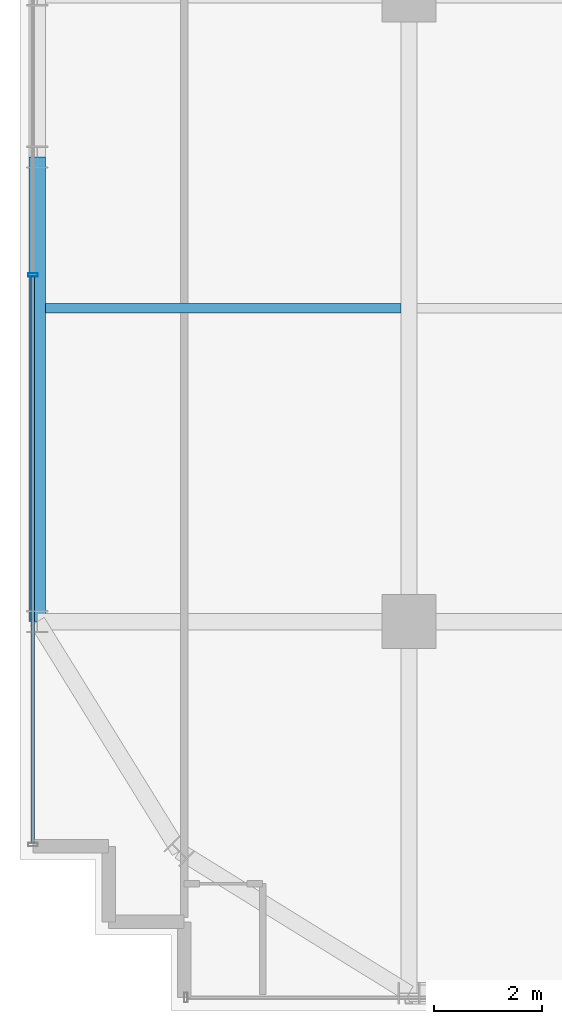
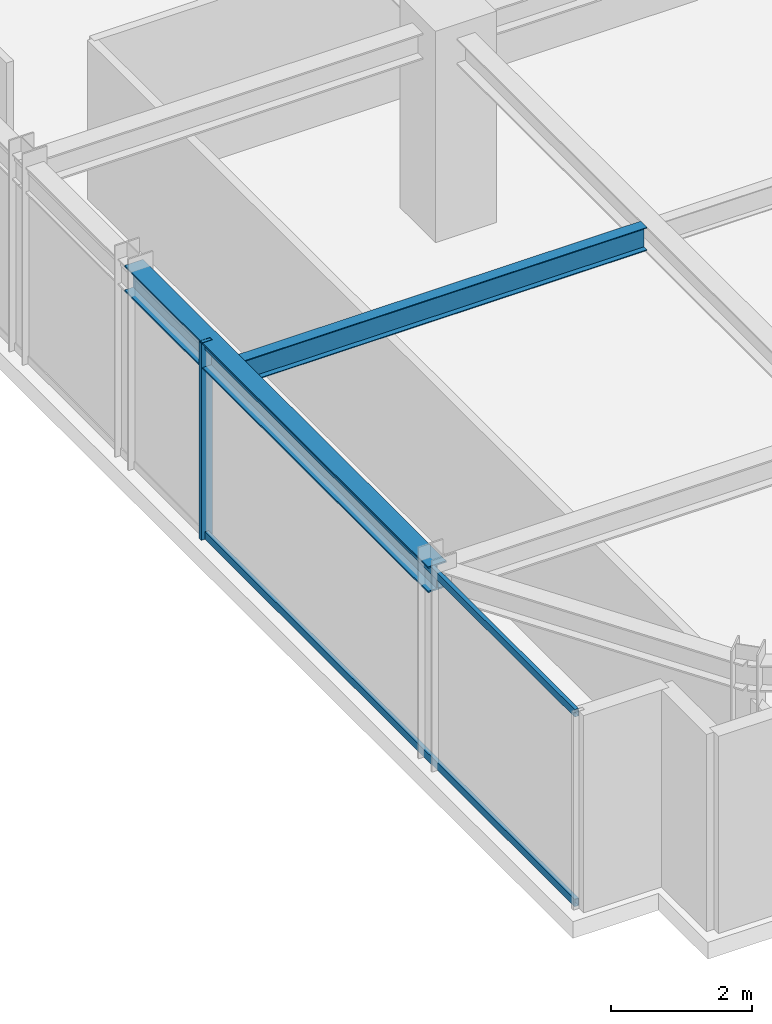
# One storey, part 6 of 36: 3 members, 2 beams, 1 element without a shape of its own.
"""IFC4 building model written with IfcOpenShell, lengths in metres."""

from ifc_helpers import new_model, si_unit, direction, frame, origin, origin_2d, place, context, subcontext, project, spatial, hollow_rectangle, i_section, extrude, source, transform, mapped, material, material_profile, profile_set, type_object, element, aggregate, save


model = new_model("IFC4")

# Units and contexts
model_context = context("Model", 3, precision=1e-05, world=origin(), true_north=direction((0.0, 1.0)))
body_context = subcontext(model_context, "Body", "Model", "MODEL_VIEW")
ifc_project = project(units=[si_unit("LENGTHUNIT", "METRE"), si_unit("AREAUNIT", "SQUARE_METRE"), si_unit("VOLUMEUNIT", "CUBIC_METRE"), si_unit("PLANEANGLEUNIT", "RADIAN"), si_unit("MASSUNIT", "GRAM", prefix="KILO")], contexts=[model_context])

# Site, building, storey
site_placement = place(None, origin())
site = spatial("IfcSite", under=ifc_project, at=site_placement, CompositionType="ELEMENT")
building_placement = place(site_placement, origin())
building = spatial("IfcBuilding", under=site, at=building_placement, Name="Nahalor Promenade Grand Hotel", CompositionType="ELEMENT")
storey_placement = place(building_placement, frame((0.0, 0.0, 219.699951171875)))
storey = spatial("IfcBuildingStorey", under=building, at=storey_placement, Name="L56", CompositionType="ELEMENT", Elevation=219.699951171875)

# Beams
ifc_material_1 = material(Name="Steel S355JR", Category="steel")
ifc_material_profile_1 = material_profile(ifc_material_1, i_section(OverallWidth=0.3, OverallDepth=0.45, WebThickness=0.014, FlangeThickness=0.026, at=origin_2d()), Name="HEB 450")
ifc_profile_set_1 = profile_set([ifc_material_profile_1], Name="Steel S355JR")
beam_type_1 = type_object("IfcBeamType", Name="Beam-Spandrel-HEB450", PredefinedType="SPANDREL", material=ifc_profile_set_1)
shared_shape_1 = source(origin(), body_context, "Body", "SweptSolid", [
    extrude(i_section(OverallWidth=0.3, OverallDepth=0.45, WebThickness=0.014, FlangeThickness=0.026, at=origin_2d()), origin(), (0.0, 0.0, 1.0), 8.60009765625),
])
beam_1_placement = place(storey_placement, frame((-23.8798828125, -17.0, 3.18505859375), z_axis=(0.0, 1.0, 0.0), x_axis=(-1.0, 0.0, 0.0)))
element("IfcBeam", 1, at=beam_1_placement, inside=storey, type_object=beam_type_1, Name="BM-L56-SP-W-0", PredefinedType="SPANDREL", context=body_context, shape_type="MappedRepresentation", body=[
    mapped(shared_shape_1, transform((0.0, 0.0, 0.0), scale=1.0)),
])
ifc_material_profile_2 = material_profile(ifc_material_1, i_section(OverallWidth=0.18, OverallDepth=0.4, WebThickness=0.0086, FlangeThickness=0.0135, at=origin_2d()), Name="IPE 400")
ifc_profile_set_2 = profile_set([ifc_material_profile_2], Name="Steel S355JR")
beam_type_2 = type_object("IfcBeamType", Name="Beam-Joist-IPE400", PredefinedType="JOIST", material=ifc_profile_set_2)
shared_shape_2 = source(origin(), body_context, "Body", "SweptSolid", [
    extrude(i_section(OverallWidth=0.18, OverallDepth=0.4, WebThickness=0.0086, FlangeThickness=0.0135, at=origin_2d()), origin(), (0.0, 0.0, 1.0), 6.580078125),
])
beam_2_placement = place(storey_placement, frame((-23.72998046875, -11.199951171875, 3.2099609375), z_axis=(1.0, 0.0, 0.0), x_axis=(0.0, 1.0, 0.0)))
element("IfcBeam", 2, at=beam_2_placement, inside=storey, type_object=beam_type_2, Name="BM-L56-JSW-0-0", PredefinedType="JOIST", context=body_context, shape_type="MappedRepresentation", body=[
    mapped(shared_shape_2, transform((0.0, 0.0, 0.0), scale=1.0)),
])

# Curtain wall, members
ifc_material_2 = material(Name="Anodised Bronze Aluminium EN AW-6063 T6", Category="aluminium")
curtain_wall_type = type_object("IfcCurtainWallType", Name="CW2 Typical Hotel Flush Bronze Unitised Curtain Wall", PredefinedType="USERDEFINED", material=ifc_material_2)
curtain_wall_placement = place(storey_placement, origin())
curtain_wall = element("IfcCurtainWall", 3, at=curtain_wall_placement, inside=storey, type_object=curtain_wall_type, Name="L56 Curtain Wall CW-L56-W-1", ObjectType="UNITISED_CURTAIN_WALL", PredefinedType="USERDEFINED")
ifc_material_profile_3 = material_profile(ifc_material_2, hollow_rectangle(XDim=0.065, YDim=0.18, WallThickness=0.004, at=origin_2d()), Name="CWM 65x180x4")
ifc_profile_set_3 = profile_set([ifc_material_profile_3], Name="Anodised Bronze Aluminium EN AW-6063 T6")
member_type_1 = type_object("IfcMemberType", Name="CWM2 Typical Bronze Mullion 65x180", PredefinedType="MULLION", material=ifc_profile_set_3)
shared_shape_3 = source(origin(), body_context, "Body", "SweptSolid", [
    extrude(hollow_rectangle(XDim=0.065, YDim=0.18, WallThickness=0.004, at=origin_2d()), origin(), (0.0, 0.0, 1.0), 3.41015625),
])
member_1_placement = place(storey_placement, frame((-23.9599609375, -10.580078125, 0.0), z_axis=(0.0, 0.0, 1.0), x_axis=(0.0, 1.0, 0.0)))
member_1 = element("IfcMember", 4, at=member_1_placement, type_object=member_type_1, Name="CW-L56-W-1 Mullion 1", PredefinedType="MULLION", context=body_context, shape_type="MappedRepresentation", body=[
    mapped(shared_shape_3, transform((0.0, 0.0, 0.0), scale=1.0)),
])
ifc_material_profile_4 = material_profile(ifc_material_2, hollow_rectangle(XDim=0.065, YDim=0.13, WallThickness=0.004, at=origin_2d()), Name="CWT 65x130x4")
ifc_profile_set_4 = profile_set([ifc_material_profile_4], Name="Anodised Bronze Aluminium EN AW-6063 T6")
member_type_2 = type_object("IfcMemberType", Name="CWT2 Typical Bronze Transom 65x130", PredefinedType="USERDEFINED", material=ifc_profile_set_4)
shared_shape_4 = source(origin(), body_context, "Body", "SweptSolid", [
    extrude(hollow_rectangle(XDim=0.065, YDim=0.13, WallThickness=0.004, at=origin_2d()), origin(), (0.0, 0.0, 1.0), 10.482421875),
])
member_2_placement = place(storey_placement, frame((-23.9599609375, -21.094970703125, 0.06494140625), z_axis=(0.0, 1.0, 0.0), x_axis=(-1.0, 0.0, 0.0)))
member_2 = element("IfcMember", 5, at=member_2_placement, type_object=member_type_2, Name="CW-L56-W-1 Transom 0-0", ObjectType="TRANSOM", PredefinedType="USERDEFINED", context=body_context, shape_type="MappedRepresentation", body=[
    mapped(shared_shape_4, transform((0.0, 0.0, 0.0), scale=1.0)),
])
member_3_placement = place(storey_placement, frame((-23.9599609375, -21.094970703125, 3.344970703125), z_axis=(0.0, 1.0, 0.0), x_axis=(-1.0, 0.0, 0.0)))
member_3 = element("IfcMember", 6, at=member_3_placement, type_object=member_type_2, Name="CW-L56-W-1 Transom 0-1", ObjectType="TRANSOM", PredefinedType="USERDEFINED", context=body_context, shape_type="MappedRepresentation", body=[
    mapped(shared_shape_4, transform((0.0, 0.0, 0.0), scale=1.0)),
])
aggregate(curtain_wall, [member_1, member_2, member_3])

save(model, "model.ifc")
